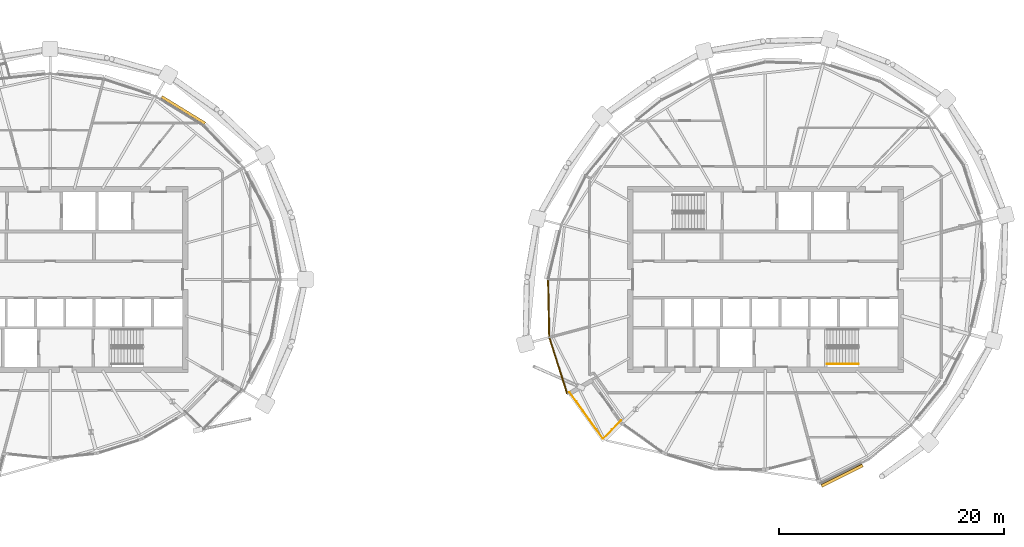
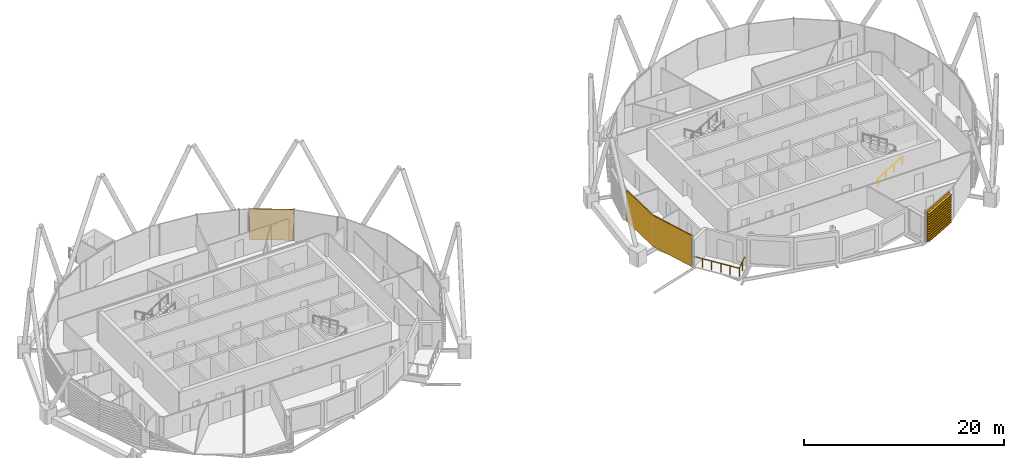
# One storey, part 30 of 32: 3 coverings, 2 railings.
"""IFC4 building model written with IfcOpenShell, lengths in metres."""

from ifc_helpers import new_model, si_unit, direction, frame, origin, origin_2d, place, context, subcontext, project, spatial, polyline, circle, outline, extrude, material, layer, layer_set, material_profile, profile_set, type_object, element, save


model = new_model("IFC4")

# Units and contexts
model_context = context("Model", 3, precision=1e-05, world=origin(), true_north=direction((0.0, 1.0)))
body_context = subcontext(model_context, "Body", "Model", "MODEL_VIEW")
ifc_project = project(units=[si_unit("LENGTHUNIT", "METRE"), si_unit("AREAUNIT", "SQUARE_METRE"), si_unit("VOLUMEUNIT", "CUBIC_METRE"), si_unit("PLANEANGLEUNIT", "RADIAN"), si_unit("MASSUNIT", "GRAM", prefix="KILO")], contexts=[model_context])

# Site, building, storey
site_placement = place(None, origin())
site = spatial("IfcSite", under=ifc_project, at=site_placement, CompositionType="ELEMENT")
building_placement = place(site_placement, origin())
building = spatial("IfcBuilding", under=site, at=building_placement, Name="Rimbun Link Towers", CompositionType="ELEMENT")
storey_placement = place(building_placement, frame((0.0, 0.0, 233.300048828125)))
storey = spatial("IfcBuildingStorey", under=building, at=storey_placement, Name="L57", CompositionType="ELEMENT", Elevation=233.300048828125)

# Railing
ifc_material_1 = material(Name="Stainless steel grade 316", Category="steel")
railing_type_1 = type_object("IfcRailingType", Name="GUARD stainless rail and posts", PredefinedType="GUARDRAIL", material=ifc_material_1)
railing_1_placement = place(storey_placement, frame((14.37255859375, -10.010009765625, 0.0)))
element("IfcRailing", 1, at=railing_1_placement, inside=storey, type_object=railing_type_1, Name="GUARD", PredefinedType="GUARDRAIL", context=body_context, shape_type="SweptSolid", body=[
    extrude(circle(Radius=0.02392578125, at=origin_2d()), frame((0.0, 0.0, 1.076171875), z_axis=(0.582992768415, -0.812477342438, 0.0), x_axis=(0.812477342438, 0.582992768415, 0.0)), (0.0, 0.0, 1.0), 5.07666015625),
    extrude(circle(Radius=0.02392578125, at=origin_2d()), frame((2.959716796875, -4.124755859375, 1.076171875), z_axis=(0.707160686792, 0.707052871471, 0.0), x_axis=(-0.707052871471, 0.707160686792, 0.0)), (0.0, 0.0, 1.0), 2.264404296875),
    extrude(circle(Radius=0.02099609375, at=origin_2d()), origin(), (0.0, 0.0, 1.0), 1.052001953125),
    extrude(circle(Radius=0.02099609375, at=origin_2d()), frame((0.592041015625, -0.824951171875, 0.0)), (0.0, 0.0, 1.0), 1.052001953125),
    extrude(circle(Radius=0.02099609375, at=origin_2d()), frame((1.183837890625, -1.64990234375, 0.0)), (0.0, 0.0, 1.0), 1.052001953125),
    extrude(circle(Radius=0.02099609375, at=origin_2d()), frame((1.77587890625, -2.474853515625, 0.0)), (0.0, 0.0, 1.0), 1.052001953125),
    extrude(circle(Radius=0.02099609375, at=origin_2d()), frame((2.36767578125, -3.2998046875, 0.0)), (0.0, 0.0, 1.0), 1.052001953125),
    extrude(circle(Radius=0.02099609375, at=origin_2d()), frame((2.959716796875, -4.124755859375, 0.0)), (0.0, 0.0, 1.0), 1.052001953125),
    extrude(circle(Radius=0.02099609375, at=origin_2d()), frame((3.76025390625, -3.32421875, 0.0)), (0.0, 0.0, 1.0), 1.052001953125),
    extrude(circle(Radius=0.02099609375, at=origin_2d()), frame((4.56103515625, -2.523681640625, 0.0)), (0.0, 0.0, 1.0), 1.052001953125),
])

# Covering
ifc_material_2 = material(Name="Terracotta", Category="masonry")
ifc_layer = layer(ifc_material_2, 0.1201171875)
ifc_layer_set = layer_set([ifc_layer], Name="LINK PIER terracotta cladding 120")
covering_type_1 = type_object("IfcCoveringType", Name="LINK PIER terracotta cladding 120", PredefinedType="CLADDING", material=ifc_layer_set)
covering_1_placement = place(storey_placement, origin())
element("IfcCovering", 2, at=covering_1_placement, inside=storey, type_object=covering_type_1, Name="LINK PIER cladding", PredefinedType="CLADDING", context=body_context, shape_type="SweptSolid", body=[
    extrude(outline(polyline([(14.200927734375, -10.09814453125), (12.61962890625, -5.1259765625), (12.512451171875, -0.030029296875), (12.392333984375, -0.032470703125), (12.5, -5.145751953125), (14.086669921875, -10.134521484375), (14.200927734375, -10.09814453125)])), origin(), (0.0, 0.0, 1.0), 3.800048828125),
])

# Railing
ifc_material_3 = material(Name="Stainless steel grade 316", Category="steel")
railing_type_2 = type_object("IfcRailingType", Name="Stair handrail", PredefinedType="HANDRAIL", material=ifc_material_3)
railing_2_placement = place(storey_placement, frame((37.199951171875, -7.5, 0.172607421875)))
element("IfcRailing", 3, at=railing_2_placement, inside=storey, type_object=railing_type_2, Name="L57 ST4 stair handrail 1", PredefinedType="HANDRAIL", context=body_context, shape_type="SweptSolid", body=[
    extrude(circle(Radius=0.02392578125, at=origin_2d()), frame((0.0, 0.0, 0.8759765625), z_axis=(0.851089632645, 0.0, 0.525020415988), x_axis=(0.0, 1.0, 0.0)), (0.0, 0.0, 1.0), 3.2900390625),
    extrude(circle(Radius=0.02099609375, at=origin_2d()), origin(), (0.0, 0.0, 1.0), 0.851806640625),
    extrude(circle(Radius=0.02099609375, at=origin_2d()), frame((0.933349609375, 0.0, 0.57568359375)), (0.0, 0.0, 1.0), 0.851806640625),
    extrude(circle(Radius=0.02099609375, at=origin_2d()), frame((1.86669921875, 0.0, 1.151611328125)), (0.0, 0.0, 1.0), 0.851806640625),
    extrude(circle(Radius=0.02099609375, at=origin_2d()), frame((2.800048828125, 0.0, 1.727294921875)), (0.0, 0.0, 1.0), 0.851806640625),
])

# Coverings
ifc_material_4 = material(Name="Terracotta", Category="masonry")
ifc_material_profile = material_profile(ifc_material_4, outline(polyline([(0.123046875, 0.0), (0.1630859375, 0.0), (0.1630859375, 0.10009765625), (0.423095703125, 0.10009765625), (0.423095703125, 0.219970703125), (0.1630859375, 0.219970703125), (0.1630859375, 0.39990234375), (0.423095703125, 0.39990234375), (0.423095703125, 0.52001953125), (0.1630859375, 0.52001953125), (0.1630859375, 0.699951171875), (0.423095703125, 0.699951171875), (0.423095703125, 0.820068359375), (0.1630859375, 0.820068359375), (0.1630859375, 1.0), (0.423095703125, 1.0), (0.423095703125, 1.1201171875), (0.1630859375, 1.1201171875), (0.1630859375, 1.300048828125), (0.423095703125, 1.300048828125), (0.423095703125, 1.419921875), (0.1630859375, 1.419921875), (0.1630859375, 1.60009765625), (0.423095703125, 1.60009765625), (0.423095703125, 1.719970703125), (0.1630859375, 1.719970703125), (0.1630859375, 1.89990234375), (0.423095703125, 1.89990234375), (0.423095703125, 2.02001953125), (0.1630859375, 2.02001953125), (0.1630859375, 2.199951171875), (0.423095703125, 2.199951171875), (0.423095703125, 2.320068359375), (0.1630859375, 2.320068359375), (0.1630859375, 2.5), (0.423095703125, 2.5), (0.423095703125, 2.6201171875), (0.1630859375, 2.6201171875), (0.1630859375, 2.800048828125), (0.423095703125, 2.800048828125), (0.423095703125, 2.919921875), (0.1630859375, 2.919921875), (0.1630859375, 3.10009765625), (0.423095703125, 3.10009765625), (0.423095703125, 3.219970703125), (0.1630859375, 3.219970703125), (0.1630859375, 3.39990234375), (0.423095703125, 3.39990234375), (0.423095703125, 3.52001953125), (0.1630859375, 3.52001953125), (0.1630859375, 3.800048828125), (0.123046875, 3.800048828125), (0.123046875, 0.0)])), Name="BAGUETTE 120X300")
ifc_profile_set = profile_set([ifc_material_profile], Name="Terracotta")
covering_type_2 = type_object("IfcCoveringType", Name="TERRACOTTA BAGUETTE 120X300 H3800", PredefinedType="CLADDING", material=ifc_profile_set)
covering_2_placement = place(storey_placement, frame((-22.0078125, 15.974365234375, 0.0), z_axis=(0.852185135295, -0.523240379923, 0.0), x_axis=(0.523240379923, 0.852185135295, 0.0)))
element("IfcCovering", 4, at=covering_2_placement, inside=storey, type_object=covering_type_2, Name="TERRACOTTA BAGUETTE", PredefinedType="CLADDING", context=body_context, shape_type="SweptSolid", body=[
    extrude(outline(polyline([(0.123046875, 0.0), (0.1630859375, 0.0), (0.1630859375, 0.10009765625), (0.423095703125, 0.10009765625), (0.423095703125, 0.219970703125), (0.1630859375, 0.219970703125), (0.1630859375, 0.39990234375), (0.423095703125, 0.39990234375), (0.423095703125, 0.52001953125), (0.1630859375, 0.52001953125), (0.1630859375, 0.699951171875), (0.423095703125, 0.699951171875), (0.423095703125, 0.820068359375), (0.1630859375, 0.820068359375), (0.1630859375, 1.0), (0.423095703125, 1.0), (0.423095703125, 1.1201171875), (0.1630859375, 1.1201171875), (0.1630859375, 1.300048828125), (0.423095703125, 1.300048828125), (0.423095703125, 1.419921875), (0.1630859375, 1.419921875), (0.1630859375, 1.60009765625), (0.423095703125, 1.60009765625), (0.423095703125, 1.719970703125), (0.1630859375, 1.719970703125), (0.1630859375, 1.89990234375), (0.423095703125, 1.89990234375), (0.423095703125, 2.02001953125), (0.1630859375, 2.02001953125), (0.1630859375, 2.199951171875), (0.423095703125, 2.199951171875), (0.423095703125, 2.320068359375), (0.1630859375, 2.320068359375), (0.1630859375, 2.5), (0.423095703125, 2.5), (0.423095703125, 2.6201171875), (0.1630859375, 2.6201171875), (0.1630859375, 2.800048828125), (0.423095703125, 2.800048828125), (0.423095703125, 2.919921875), (0.1630859375, 2.919921875), (0.1630859375, 3.10009765625), (0.423095703125, 3.10009765625), (0.423095703125, 3.219970703125), (0.1630859375, 3.219970703125), (0.1630859375, 3.39990234375), (0.423095703125, 3.39990234375), (0.423095703125, 3.52001953125), (0.1630859375, 3.52001953125), (0.1630859375, 3.800048828125), (0.123046875, 3.800048828125), (0.123046875, 0.0)])), origin(), (0.0, 0.0, 1.0), 4.531005859375),
])
covering_3_placement = place(storey_placement, frame((40.2607421875, -16.238525390625, 0.0), z_axis=(-0.893652230904, -0.448760170024, 0.0), x_axis=(0.448760170024, -0.893652230904, 0.0)))
element("IfcCovering", 5, at=covering_3_placement, inside=storey, type_object=covering_type_2, Name="TERRACOTTA BAGUETTE", PredefinedType="CLADDING", context=body_context, shape_type="SweptSolid", body=[
    extrude(outline(polyline([(0.123046875, 0.0), (0.1630859375, 0.0), (0.1630859375, 0.10009765625), (0.423095703125, 0.10009765625), (0.423095703125, 0.219970703125), (0.1630859375, 0.219970703125), (0.1630859375, 0.39990234375), (0.423095703125, 0.39990234375), (0.423095703125, 0.52001953125), (0.1630859375, 0.52001953125), (0.1630859375, 0.699951171875), (0.423095703125, 0.699951171875), (0.423095703125, 0.820068359375), (0.1630859375, 0.820068359375), (0.1630859375, 1.0), (0.423095703125, 1.0), (0.423095703125, 1.1201171875), (0.1630859375, 1.1201171875), (0.1630859375, 1.300048828125), (0.423095703125, 1.300048828125), (0.423095703125, 1.419921875), (0.1630859375, 1.419921875), (0.1630859375, 1.60009765625), (0.423095703125, 1.60009765625), (0.423095703125, 1.719970703125), (0.1630859375, 1.719970703125), (0.1630859375, 1.89990234375), (0.423095703125, 1.89990234375), (0.423095703125, 2.02001953125), (0.1630859375, 2.02001953125), (0.1630859375, 2.199951171875), (0.423095703125, 2.199951171875), (0.423095703125, 2.320068359375), (0.1630859375, 2.320068359375), (0.1630859375, 2.5), (0.423095703125, 2.5), (0.423095703125, 2.6201171875), (0.1630859375, 2.6201171875), (0.1630859375, 2.800048828125), (0.423095703125, 2.800048828125), (0.423095703125, 2.919921875), (0.1630859375, 2.919921875), (0.1630859375, 3.10009765625), (0.423095703125, 3.10009765625), (0.423095703125, 3.219970703125), (0.1630859375, 3.219970703125), (0.1630859375, 3.39990234375), (0.423095703125, 3.39990234375), (0.423095703125, 3.52001953125), (0.1630859375, 3.52001953125), (0.1630859375, 3.800048828125), (0.123046875, 3.800048828125), (0.123046875, 0.0)])), origin(), (0.0, 0.0, 1.0), 4.1025390625),
])

save(model, "model.ifc")
